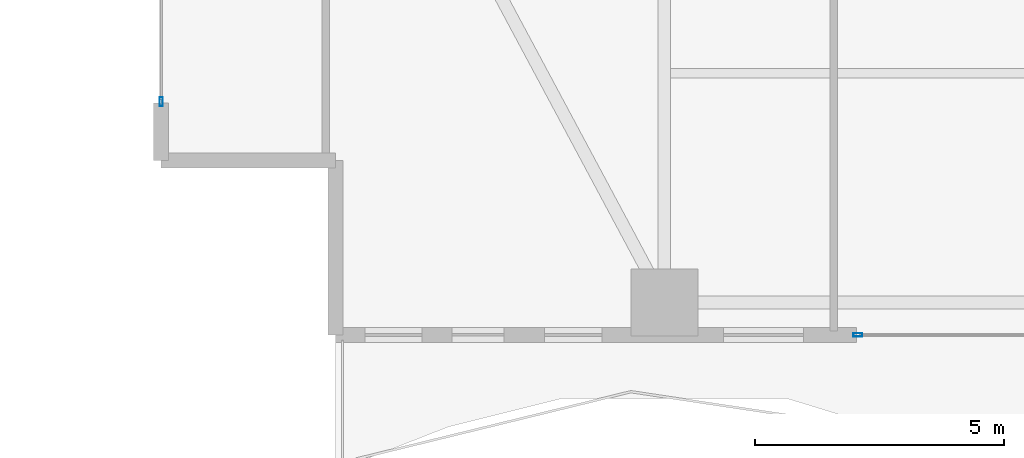
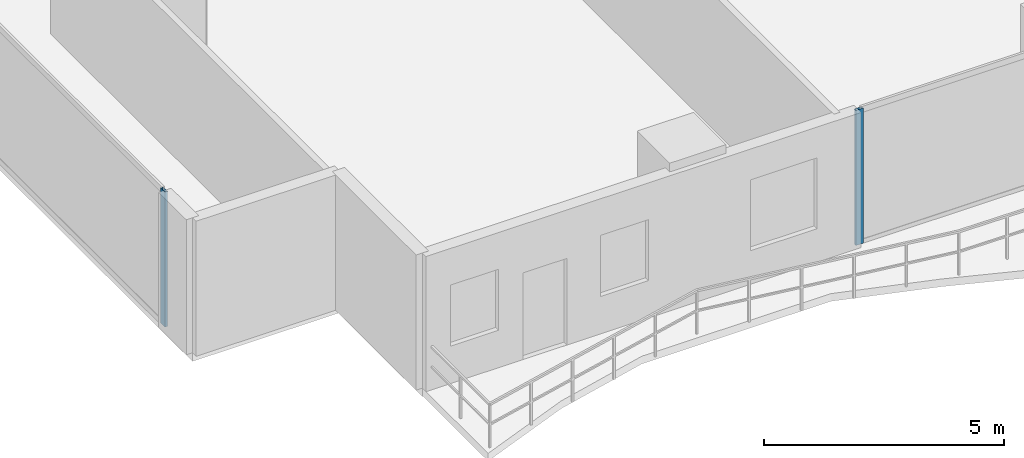
# One storey, part 2 of 28: 2 members, 2 elements without a shape of their own.
"""IFC4 building model written with IfcOpenShell, lengths in metres."""

from ifc_helpers import new_model, si_unit, direction, frame, origin, origin_2d, place, context, subcontext, project, spatial, hollow_rectangle, extrude, material, layer, layer_set, material_profile, profile_set, type_object, element, aggregate, save


model = new_model("IFC4")

# Units and contexts
model_context = context("Model", 3, precision=1e-05, world=origin(), true_north=direction((0.0, 1.0)))
body_context = subcontext(model_context, "Body", "Model", "MODEL_VIEW")
ifc_project = project(units=[si_unit("LENGTHUNIT", "METRE"), si_unit("AREAUNIT", "SQUARE_METRE"), si_unit("VOLUMEUNIT", "CUBIC_METRE"), si_unit("PLANEANGLEUNIT", "RADIAN"), si_unit("MASSUNIT", "GRAM", prefix="KILO")], contexts=[model_context])

# Site, building, storey
site_placement = place(None, origin())
site = spatial("IfcSite", under=ifc_project, at=site_placement, CompositionType="ELEMENT")
building_placement = place(site_placement, origin())
building = spatial("IfcBuilding", under=site, at=building_placement, Name="Zuhayl Quay Hotel", CompositionType="ELEMENT")
storey_placement = place(building_placement, frame((0.0, 0.0, 139.449951171875)))
storey = spatial("IfcBuildingStorey", under=building, at=storey_placement, Name="L35", CompositionType="ELEMENT", Elevation=139.449951171875)

# Curtain wall, member
ifc_material_1 = material(Name="Anodised Aluminium 6063-T6", Category="aluminium")
ifc_layer = layer(ifc_material_1, 0.179931640625, Name="Anodised Aluminium 6063-T6", Category="aluminium")
ifc_layer_set = layer_set([ifc_layer], Name="Anodised Aluminium 6063-T6")
curtain_wall_type = type_object("IfcCurtainWallType", Name="CW_SYS_Z2", PredefinedType="USERDEFINED", material=ifc_layer_set)
curtain_wall_1_placement = place(storey_placement, origin())
curtain_wall_1 = element("IfcCurtainWall", 1, at=curtain_wall_1_placement, inside=storey, type_object=curtain_wall_type, Name="L35 Curtain Wall ENV_L35_E02_CW1", ObjectType="UNITISED CURTAIN WALL", PredefinedType="USERDEFINED")
ifc_material_2 = material(Name="Black-anodised aluminium 6063-T6", Category="aluminium")
ifc_material_profile = material_profile(ifc_material_2, hollow_rectangle(XDim=0.06494140625, YDim=0.179931640625, WallThickness=0.00341796875, at=origin_2d()), Name="ALU180X65")
ifc_profile_set = profile_set([ifc_material_profile], Name="Black-anodised aluminium 6063-T6")
member_type = type_object("IfcMemberType", Name="MB_CW_MUL_180", PredefinedType="MULLION", material=ifc_profile_set)
member_1_placement = place(storey_placement, frame((-23.89990234375, -10.717529296875, 0.0), z_axis=(0.0, 0.0, 1.0), x_axis=(-1.0, 0.0, 0.0)))
member_1 = element("IfcMember", 2, at=member_1_placement, type_object=member_type, Name="CW-Z2 mullion 1", PredefinedType="MULLION", context=body_context, shape_type="SweptSolid", body=[
    extrude(hollow_rectangle(XDim=0.06494140625, YDim=0.179931640625, WallThickness=0.00341796875, at=origin_2d()), origin(), (0.0, 0.0, 1.0), 3.429931640625),
])
aggregate(curtain_wall_1, [member_1])

curtain_wall_2_placement = place(storey_placement, origin())
curtain_wall_2 = element("IfcCurtainWall", 3, at=curtain_wall_2_placement, inside=storey, type_object=curtain_wall_type, Name="L35 Curtain Wall ENV_L35_S_CW6", ObjectType="UNITISED CURTAIN WALL", PredefinedType="USERDEFINED")
member_2_placement = place(storey_placement, frame((-9.91748046875, -15.39990234375, 0.0), z_axis=(0.0, 0.0, 1.0), x_axis=(0.0, -1.0, 0.0)))
member_2 = element("IfcMember", 4, at=member_2_placement, type_object=member_type, Name="CW-Z2 mullion 2", PredefinedType="MULLION", context=body_context, shape_type="SweptSolid", body=[
    extrude(hollow_rectangle(XDim=0.06494140625, YDim=0.179931640625, WallThickness=0.00341796875, at=origin_2d()), origin(), (0.0, 0.0, 1.0), 3.429931640625),
])
aggregate(curtain_wall_2, [member_2])

save(model, "model.ifc")
